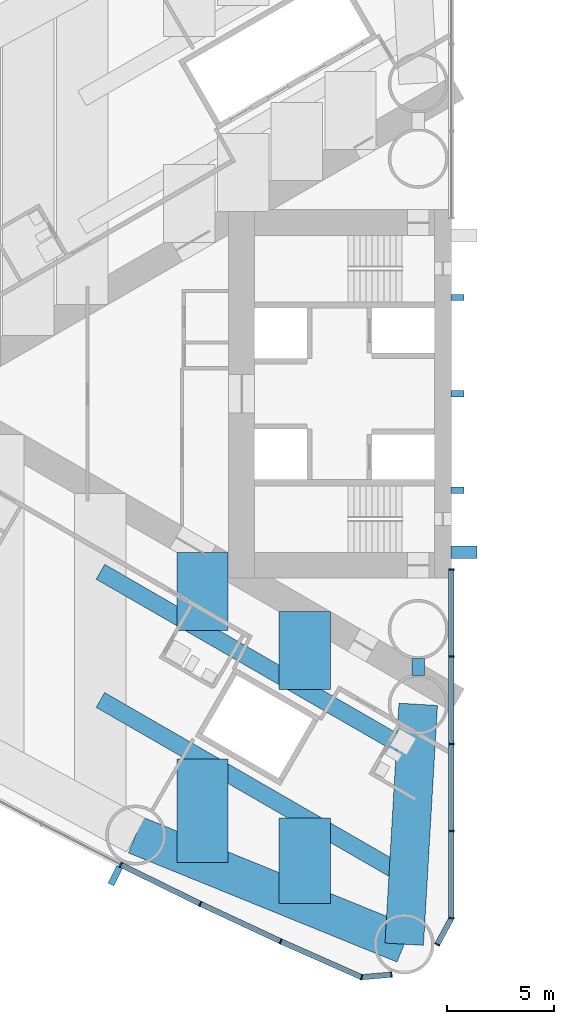
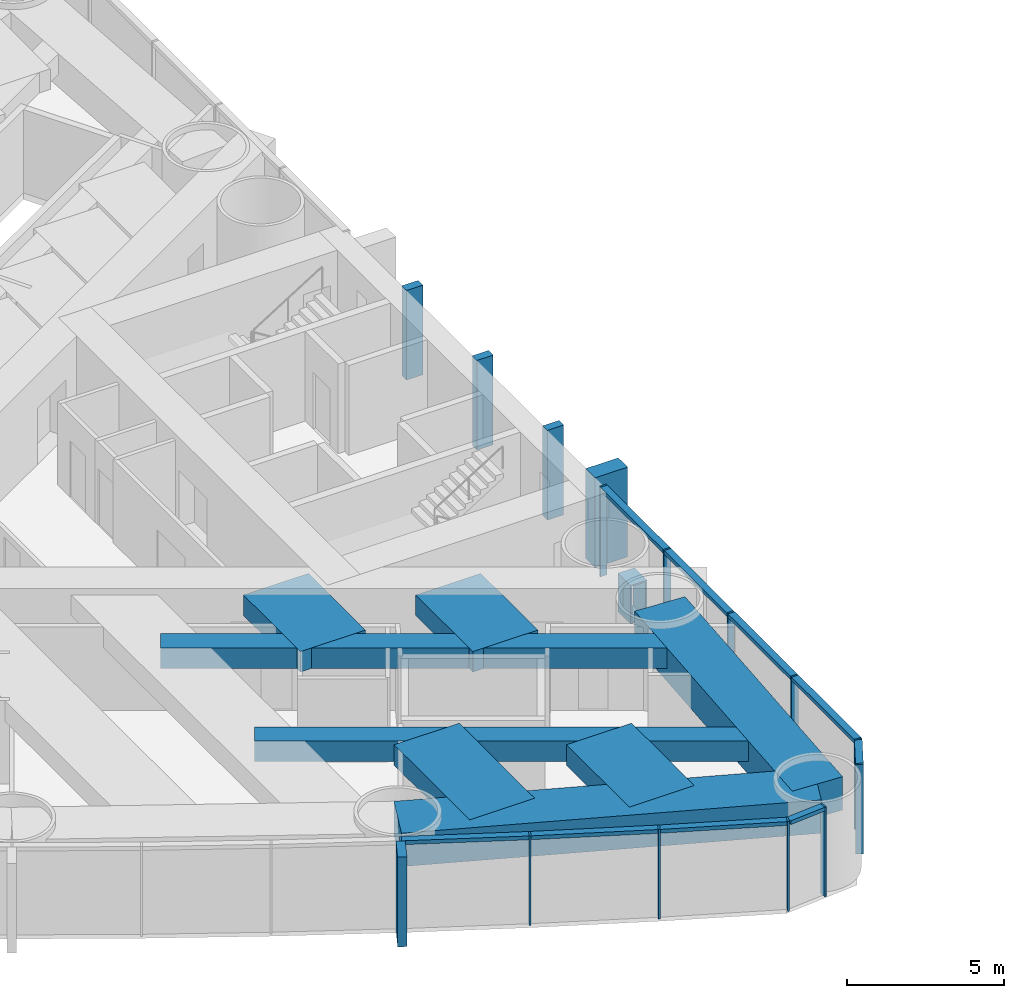
# One storey, part 3 of 18: 25 members, 9 beams, 2 elements without a shape of their own.
"""IFC4 building model written with IfcOpenShell, lengths in metres."""

from ifc_helpers import new_model, si_unit, direction, frame, origin, origin_2d, place, context, subcontext, project, spatial, rectangle, hollow_rectangle, extrude, material, material_profile, profile_set, type_object, element, aggregate, save


model = new_model("IFC4")

# Units and contexts
model_context = context("Model", 3, precision=1e-05, world=origin(), true_north=direction((0.0, 1.0)))
body_context = subcontext(model_context, "Body", "Model", "MODEL_VIEW")
ifc_project = project(units=[si_unit("LENGTHUNIT", "METRE"), si_unit("AREAUNIT", "SQUARE_METRE"), si_unit("VOLUMEUNIT", "CUBIC_METRE"), si_unit("PLANEANGLEUNIT", "RADIAN"), si_unit("MASSUNIT", "GRAM", prefix="KILO")], contexts=[model_context])

# Site, building, storey
site_placement = place(None, origin())
site = spatial("IfcSite", under=ifc_project, at=site_placement, CompositionType="ELEMENT")
building_placement = place(site_placement, origin())
building = spatial("IfcBuilding", under=site, at=building_placement, Name="Lancet Gate Hotel", CompositionType="ELEMENT")
storey_placement = place(building_placement, frame((0.0, 0.0, 56.5)))
storey = spatial("IfcBuildingStorey", under=building, at=storey_placement, Name="L14", CompositionType="ELEMENT", Elevation=56.5)

# Curtain wall, members
ifc_material_1 = material(Name="Aluminium curtain wall", Category="aluminium")
curtain_wall_type = type_object("IfcCurtainWallType", Name="Tower unitised curtain wall", PredefinedType="USERDEFINED", material=ifc_material_1)
curtain_wall_1_placement = place(storey_placement, origin())
curtain_wall_1 = element("IfcCurtainWall", 1, at=curtain_wall_1_placement, inside=storey, type_object=curtain_wall_type, Name="T1 L14 curtain wall 3", ObjectType="UNITISED CURTAIN WALL", PredefinedType="USERDEFINED")
ifc_material_2 = material(Name="Aluminium mullion", Category="aluminium")
ifc_material_profile_1 = material_profile(ifc_material_2, rectangle(XDim=0.06494140625, YDim=0.25, at=origin_2d()), Name="MULLION 65x250")
ifc_profile_set_1 = profile_set([ifc_material_profile_1], Name="Aluminium mullion")
member_type_1 = type_object("IfcMemberType", Name="Aluminium mullion 65x250", PredefinedType="MULLION", material=ifc_profile_set_1)
member_1_placement = place(storey_placement, frame((-42.94189453125, -21.991943359375, 0.0), z_axis=(0.0, 0.0, 1.0), x_axis=(0.893291549794, -0.449477704748, 0.0)))
member_1 = element("IfcMember", 2, at=member_1_placement, type_object=member_type_1, Name="T1 L14 curtain wall 3 mullion 11", PredefinedType="MULLION", context=body_context, shape_type="SweptSolid", body=[
    extrude(rectangle(XDim=0.06494140625, YDim=0.25, at=origin_2d()), origin(), (0.0, 0.0, 1.0), 3.5),
])
member_2_placement = place(storey_placement, frame((-39.225341796875, -23.816650390625, 0.0), z_axis=(0.0, 0.0, 1.0), x_axis=(0.901928838337, -0.431884672772, 0.0)))
member_2 = element("IfcMember", 3, at=member_2_placement, type_object=member_type_1, Name="T1 L14 curtain wall 3 mullion 12", PredefinedType="MULLION", context=body_context, shape_type="SweptSolid", body=[
    extrude(rectangle(XDim=0.06494140625, YDim=0.25, at=origin_2d()), origin(), (0.0, 0.0, 1.0), 3.5),
])
member_3_placement = place(storey_placement, frame((-35.473876953125, -25.568115234375, 0.0), z_axis=(0.0, 0.0, 1.0), x_axis=(0.910219680212, -0.414125746308, 0.0)))
member_3 = element("IfcMember", 4, at=member_3_placement, type_object=member_type_1, Name="T1 L14 curtain wall 3 mullion 13", PredefinedType="MULLION", context=body_context, shape_type="SweptSolid", body=[
    extrude(rectangle(XDim=0.06494140625, YDim=0.25, at=origin_2d()), origin(), (0.0, 0.0, 1.0), 3.5),
])
member_4_placement = place(storey_placement, frame((-31.688720703125, -27.24560546875, 0.0), z_axis=(0.0, 0.0, 1.0), x_axis=(0.957524354695, -0.288352406209, 0.0)))
member_4 = element("IfcMember", 5, at=member_4_placement, type_object=member_type_1, Name="T1 L14 curtain wall 3 mullion 14", PredefinedType="MULLION", context=body_context, shape_type="SweptSolid", body=[
    extrude(rectangle(XDim=0.06494140625, YDim=0.25, at=origin_2d()), origin(), (0.0, 0.0, 1.0), 3.5),
])
member_5_placement = place(storey_placement, frame((-30.3046875, -27.124755859375, 0.0), z_axis=(0.0, 0.0, 1.0), x_axis=(0.99620380374, 0.087051602022, 0.0)))
member_5 = element("IfcMember", 6, at=member_5_placement, type_object=member_type_1, Name="T1 L14 curtain wall 3 mullion 15", PredefinedType="MULLION", context=body_context, shape_type="SweptSolid", body=[
    extrude(rectangle(XDim=0.06494140625, YDim=0.25, at=origin_2d()), origin(), (0.0, 0.0, 1.0), 3.5),
])

curtain_wall_2_placement = place(storey_placement, origin())
curtain_wall_2 = element("IfcCurtainWall", 7, at=curtain_wall_2_placement, inside=storey, type_object=curtain_wall_type, Name="T1 L14 curtain wall 4", ObjectType="UNITISED CURTAIN WALL", PredefinedType="USERDEFINED")
member_6_placement = place(storey_placement, frame((-28.158935546875, -25.712890625, 0.0), z_axis=(0.0, 0.0, 1.0), x_axis=(0.474631040972, 0.880184852714, 0.0)))
member_6 = element("IfcMember", 8, at=member_6_placement, type_object=member_type_1, Name="T1 L14 curtain wall 4 mullion 1", PredefinedType="MULLION", context=body_context, shape_type="SweptSolid", body=[
    extrude(rectangle(XDim=0.06494140625, YDim=0.25, at=origin_2d()), origin(), (0.0, 0.0, 1.0), 3.5),
])
member_7_placement = place(storey_placement, frame((-27.5, -24.4912109375, 0.0), z_axis=(0.0, 0.0, 1.0), x_axis=(0.123482502544, 0.992346749662, 0.0)))
member_7 = element("IfcMember", 9, at=member_7_placement, type_object=member_type_1, Name="T1 L14 curtain wall 4 mullion 2", PredefinedType="MULLION", context=body_context, shape_type="SweptSolid", body=[
    extrude(rectangle(XDim=0.06494140625, YDim=0.25, at=origin_2d()), origin(), (0.0, 0.0, 1.0), 3.5),
])
member_8_placement = place(storey_placement, frame((-27.5, -20.41845703125, 0.0), z_axis=(0.0, 0.0, 1.0), x_axis=(0.0, 1.0, 0.0)))
member_8 = element("IfcMember", 10, at=member_8_placement, type_object=member_type_1, Name="T1 L14 curtain wall 4 mullion 3", PredefinedType="MULLION", context=body_context, shape_type="SweptSolid", body=[
    extrude(rectangle(XDim=0.06494140625, YDim=0.25, at=origin_2d()), origin(), (0.0, 0.0, 1.0), 3.5),
])
member_9_placement = place(storey_placement, frame((-27.5, -16.345703125, 0.0), z_axis=(0.0, 0.0, 1.0), x_axis=(0.0, 1.0, 0.0)))
member_9 = element("IfcMember", 11, at=member_9_placement, type_object=member_type_1, Name="T1 L14 curtain wall 4 mullion 4", PredefinedType="MULLION", context=body_context, shape_type="SweptSolid", body=[
    extrude(rectangle(XDim=0.06494140625, YDim=0.25, at=origin_2d()), origin(), (0.0, 0.0, 1.0), 3.5),
])
member_10_placement = place(storey_placement, frame((-27.5, -12.272705078125, 0.0), z_axis=(0.0, 0.0, 1.0), x_axis=(0.0, 1.0, 0.0)))
member_10 = element("IfcMember", 12, at=member_10_placement, type_object=member_type_1, Name="T1 L14 curtain wall 4 mullion 5", PredefinedType="MULLION", context=body_context, shape_type="SweptSolid", body=[
    extrude(rectangle(XDim=0.06494140625, YDim=0.25, at=origin_2d()), origin(), (0.0, 0.0, 1.0), 3.5),
])
member_11_placement = place(storey_placement, frame((-27.5, -8.199951171875, 0.0), z_axis=(0.0, 0.0, 1.0), x_axis=(0.0, 1.0, 0.0)))
member_11 = element("IfcMember", 13, at=member_11_placement, type_object=member_type_1, Name="T1 L14 curtain wall 4 mullion 6", PredefinedType="MULLION", context=body_context, shape_type="SweptSolid", body=[
    extrude(rectangle(XDim=0.06494140625, YDim=0.25, at=origin_2d()), origin(), (0.0, 0.0, 1.0), 3.5),
])

# Member
ifc_material_3 = material(Name="Aluminium transom", Category="aluminium")
ifc_material_profile_2 = material_profile(ifc_material_3, rectangle(XDim=0.25, YDim=0.14990234375, at=origin_2d()), Name="TRANSOM 250x150")
ifc_profile_set_2 = profile_set([ifc_material_profile_2], Name="Aluminium transom")
member_type_2 = type_object("IfcMemberType", Name="Aluminium transom 250x150", PredefinedType="USERDEFINED", material=ifc_profile_set_2)
member_12_placement = place(storey_placement, frame((-42.912841796875, -22.00634765625, 3.425048828125), z_axis=(0.897662439958, -0.440683723194, 0.0), x_axis=(0.440683723194, 0.897662439958, 0.0)))
member_12 = element("IfcMember", 14, at=member_12_placement, type_object=member_type_2, Name="T1 L14 curtain wall 3 transom 11", ObjectType="TRANSOM", PredefinedType="USERDEFINED", context=body_context, shape_type="SweptSolid", body=[
    extrude(rectangle(XDim=0.25, YDim=0.14990234375, at=origin_2d()), origin(), (0.0, 0.0, 1.0), 4.0751953125),
])

member_13_placement = place(storey_placement, frame((-39.196044921875, -23.830322265625, 3.425048828125), z_axis=(0.906109667261, -0.423042871228, 0.0), x_axis=(0.423042871228, 0.906109667261, 0.0)))
member_13 = element("IfcMember", 15, at=member_13_placement, type_object=member_type_2, Name="T1 L14 curtain wall 3 transom 12", ObjectType="TRANSOM", PredefinedType="USERDEFINED", context=body_context, shape_type="SweptSolid", body=[
    extrude(rectangle(XDim=0.25, YDim=0.14990234375, at=origin_2d()), origin(), (0.0, 0.0, 1.0), 4.075439453125),
])

member_14_placement = place(storey_placement, frame((-35.444091796875, -25.581298828125, 3.425048828125), z_axis=(0.914248281954, -0.405154389022, 0.0), x_axis=(0.405154389022, 0.914248281954, 0.0)))
member_14 = element("IfcMember", 16, at=member_14_placement, type_object=member_type_2, Name="T1 L14 curtain wall 3 transom 13", ObjectType="TRANSOM", PredefinedType="USERDEFINED", context=body_context, shape_type="SweptSolid", body=[
    extrude(rectangle(XDim=0.25, YDim=0.14990234375, at=origin_2d()), origin(), (0.0, 0.0, 1.0), 4.0751953125),
])

member_15_placement = place(storey_placement, frame((-31.65625, -27.242919921875, 3.425048828125), z_axis=(0.99620591587, 0.087027427779, 0.0), x_axis=(-0.087027427779, 0.99620591587, 0.0)))
member_15 = element("IfcMember", 17, at=member_15_placement, type_object=member_type_2, Name="T1 L14 curtain wall 3 transom 14", ObjectType="TRANSOM", PredefinedType="USERDEFINED", context=body_context, shape_type="SweptSolid", body=[
    extrude(rectangle(XDim=0.25, YDim=0.14990234375, at=origin_2d()), origin(), (0.0, 0.0, 1.0), 1.32421875),
])

member_16_placement = place(storey_placement, frame((-28.143310546875, -25.684326171875, 3.425048828125), z_axis=(0.474605926905, 0.880198394765, 0.0), x_axis=(-0.880198394765, 0.474605926905, 0.0)))
member_16 = element("IfcMember", 18, at=member_16_placement, type_object=member_type_2, Name="T1 L14 curtain wall 4 transom 1", ObjectType="TRANSOM", PredefinedType="USERDEFINED", context=body_context, shape_type="SweptSolid", body=[
    extrude(rectangle(XDim=0.25, YDim=0.14990234375, at=origin_2d()), origin(), (0.0, 0.0, 1.0), 1.322998046875),
])

member_17_placement = place(storey_placement, frame((-27.5, -24.458740234375, 3.425048828125), z_axis=(0.0, 1.0, 0.0), x_axis=(-1.0, 0.0, 0.0)))
member_17 = element("IfcMember", 19, at=member_17_placement, type_object=member_type_2, Name="T1 L14 curtain wall 4 transom 2", ObjectType="TRANSOM", PredefinedType="USERDEFINED", context=body_context, shape_type="SweptSolid", body=[
    extrude(rectangle(XDim=0.25, YDim=0.14990234375, at=origin_2d()), origin(), (0.0, 0.0, 1.0), 4.0078125),
])

member_18_placement = place(storey_placement, frame((-27.5, -20.385986328125, 3.425048828125), z_axis=(0.0, 1.0, 0.0), x_axis=(-1.0, 0.0, 0.0)))
member_18 = element("IfcMember", 20, at=member_18_placement, type_object=member_type_2, Name="T1 L14 curtain wall 4 transom 3", ObjectType="TRANSOM", PredefinedType="USERDEFINED", context=body_context, shape_type="SweptSolid", body=[
    extrude(rectangle(XDim=0.25, YDim=0.14990234375, at=origin_2d()), origin(), (0.0, 0.0, 1.0), 4.0078125),
])

member_19_placement = place(storey_placement, frame((-27.5, -16.31298828125, 3.425048828125), z_axis=(0.0, 1.0, 0.0), x_axis=(-1.0, 0.0, 0.0)))
member_19 = element("IfcMember", 21, at=member_19_placement, type_object=member_type_2, Name="T1 L14 curtain wall 4 transom 4", ObjectType="TRANSOM", PredefinedType="USERDEFINED", context=body_context, shape_type="SweptSolid", body=[
    extrude(rectangle(XDim=0.25, YDim=0.14990234375, at=origin_2d()), origin(), (0.0, 0.0, 1.0), 4.0078125),
])

member_20_placement = place(storey_placement, frame((-27.5, -12.240234375, 3.425048828125), z_axis=(0.0, 1.0, 0.0), x_axis=(-1.0, 0.0, 0.0)))
member_20 = element("IfcMember", 22, at=member_20_placement, type_object=member_type_2, Name="T1 L14 curtain wall 4 transom 5", ObjectType="TRANSOM", PredefinedType="USERDEFINED", context=body_context, shape_type="SweptSolid", body=[
    extrude(rectangle(XDim=0.25, YDim=0.14990234375, at=origin_2d()), origin(), (0.0, 0.0, 1.0), 4.0078125),
])

aggregate(curtain_wall_2, [member_6, member_7, member_8, member_9, member_10, member_11, member_16, member_17, member_18, member_19, member_20])

# Beams
ifc_material_4 = material(Name="Concrete C50/60", Category="concrete")
ifc_material_profile_3 = material_profile(ifc_material_4, rectangle(XDim=1.800048828125, YDim=1.300048828125, at=origin_2d()), Name="RC 1800x1300")
ifc_profile_set_3 = profile_set([ifc_material_profile_3], Name="Concrete C50/60")
beam_type_1 = type_object("IfcBeamType", Name="Edge beam RC 1800x1300", PredefinedType="SPANDREL", material=ifc_profile_set_3)
beam_1_placement = place(storey_placement, frame((-42.2451171875, -20.607421875, 2.60009765625), z_axis=(0.926463236197, -0.376385270667, 0.0), x_axis=(0.376385270667, 0.926463236197, 0.0)))
element("IfcBeam", 23, at=beam_1_placement, inside=storey, type_object=beam_type_1, Name="T1 edge beam EB1 L14", PredefinedType="SPANDREL", context=body_context, shape_type="SweptSolid", body=[
    extrude(rectangle(XDim=1.800048828125, YDim=1.300048828125, at=origin_2d()), origin(), (0.0, 0.0, 1.0), 13.537353515625),
])
beam_2_placement = place(storey_placement, frame((-29.050048828125, -14.5, 2.60009765625), z_axis=(-0.058219521912, -0.998303805096, 0.0), x_axis=(0.998303805096, -0.058219521912, 0.0)))
element("IfcBeam", 24, at=beam_2_placement, inside=storey, type_object=beam_type_1, Name="T1 edge beam EB1 L14", PredefinedType="SPANDREL", context=body_context, shape_type="SweptSolid", body=[
    extrude(rectangle(XDim=1.800048828125, YDim=1.300048828125, at=origin_2d()), origin(), (0.0, 0.0, 1.0), 11.2216796875),
])

# Member
ifc_material_5 = material(Name="Concrete C60/75", Category="concrete")
ifc_material_profile_4 = material_profile(ifc_material_5, rectangle(XDim=0.60009765625, YDim=1.199951171875, at=origin_2d()), Name="FIN 600x1200")
ifc_profile_set_4 = profile_set([ifc_material_profile_4], Name="Concrete C60/75")
member_type_3 = type_object("IfcMemberType", Name="Exposed concrete buttress pilaster 600x1200", PredefinedType="USERDEFINED", material=ifc_profile_set_4)
member_21_placement = place(storey_placement, frame((-26.909912109375, -7.39990234375, 0.0), z_axis=(0.0, 0.0, 1.0), x_axis=(0.0, 1.0, 0.0)))
element("IfcMember", 25, at=member_21_placement, inside=storey, type_object=member_type_3, Name="T1 buttress pilaster N L14", ObjectType="FIN", PredefinedType="USERDEFINED", context=body_context, shape_type="SweptSolid", body=[
    extrude(rectangle(XDim=0.60009765625, YDim=1.199951171875, at=origin_2d()), origin(), (0.0, 0.0, 1.0), 3.5),
])

ifc_material_6 = material(Name="Precast concrete C50/60", Category="concrete")
ifc_material_profile_5 = material_profile(ifc_material_6, rectangle(XDim=0.300048828125, YDim=0.89990234375, at=origin_2d()), Name="FIN 300x900")
ifc_profile_set_5 = profile_set([ifc_material_profile_5], Name="Precast concrete C50/60")
member_type_4 = type_object("IfcMemberType", Name="Exposed concrete fin 300x900", PredefinedType="USERDEFINED", material=ifc_profile_set_5)
member_22_placement = place(storey_placement, frame((-43.200439453125, -22.505615234375, 0.0), z_axis=(0.0, 0.0, 1.0), x_axis=(0.893291549794, -0.449477704748, 0.0)))
member_22 = element("IfcMember", 26, at=member_22_placement, type_object=member_type_4, Name="T1 L14 curtain wall 3 fin 11", ObjectType="FIN", PredefinedType="USERDEFINED", context=body_context, shape_type="SweptSolid", body=[
    extrude(rectangle(XDim=0.300048828125, YDim=0.89990234375, at=origin_2d()), origin(), (0.0, 0.0, 1.0), 3.5),
])

aggregate(curtain_wall_1, [member_1, member_22, member_2, member_3, member_4, member_5, member_12, member_13, member_14, member_15])

# Members
ifc_material_7 = material(Name="Concrete C60/75", Category="concrete")
ifc_material_profile_6 = material_profile(ifc_material_7, rectangle(XDim=0.300048828125, YDim=0.60009765625, at=origin_2d()), Name="FIN 300x600")
ifc_profile_set_6 = profile_set([ifc_material_profile_6], Name="Concrete C60/75")
member_type_5 = type_object("IfcMemberType", Name="Exposed concrete rib 300x600", PredefinedType="USERDEFINED", material=ifc_profile_set_6)
for number, where, z_axis, x_axis, name in (
    (27, (-27.2099609375, 4.5, 0.0), (0.0, 0.0, 1.0), (0.0, 1.0, 0.0), "T1 core rib 1 L14"),
    (28, (-27.2099609375, 0.0, 0.0), (0.0, 0.0, 1.0), (0.0, 1.0, 0.0), "T1 core rib 2 L14"),
    (29, (-27.2099609375, -4.5, 0.0), (0.0, 0.0, 1.0), (0.0, 1.0, 0.0), "T1 core rib 3 L14"),
):
    element("IfcMember", number, at=place(storey_placement, frame(where, z_axis=z_axis, x_axis=x_axis)), inside=storey, type_object=member_type_5, Name=name, ObjectType="FIN", PredefinedType="USERDEFINED", context=body_context, shape_type="SweptSolid", body=[
        extrude(rectangle(XDim=0.300048828125, YDim=0.60009765625, at=origin_2d()), origin(), (0.0, 0.0, 1.0), 3.5),
    ])

# Beams
ifc_material_8 = material(Name="Concrete C50/60", Category="concrete")
ifc_material_profile_7 = material_profile(ifc_material_8, rectangle(XDim=2.39990234375, YDim=0.800048828125, at=origin_2d()), Name="RC 2400x800")
ifc_profile_set_7 = profile_set([ifc_material_profile_7], Name="Concrete C50/60")
beam_type_2 = type_object("IfcBeamType", Name="Floor beam RC 2400x800", PredefinedType="BEAM", material=ifc_profile_set_7)
beam_3_placement = place(storey_placement, frame((-34.353515625, -10.169921875, 2.85009765625), z_axis=(0.0, -1.0, 0.0), x_axis=(1.0, 0.0, 0.0)))
element("IfcBeam", 30, at=beam_3_placement, inside=storey, type_object=beam_type_2, Name="T1 floor beam F03NA L14", PredefinedType="BEAM", context=body_context, shape_type="SweptSolid", body=[
    extrude(rectangle(XDim=2.39990234375, YDim=0.800048828125, at=origin_2d()), origin(), (0.0, 0.0, 1.0), 3.645751953125),
])
beam_4_placement = place(storey_placement, frame((-34.353515625, -19.802978515625, 2.85009765625), z_axis=(0.0, -1.0, 0.0), x_axis=(1.0, 0.0, 0.0)))
element("IfcBeam", 31, at=beam_4_placement, inside=storey, type_object=beam_type_2, Name="T1 floor beam F03NB L14", PredefinedType="BEAM", context=body_context, shape_type="SweptSolid", body=[
    extrude(rectangle(XDim=2.39990234375, YDim=0.800048828125, at=origin_2d()), origin(), (0.0, 0.0, 1.0), 4.010498046875),
])
beam_5_placement = place(storey_placement, frame((-39.122314453125, -7.41650390625, 2.85009765625), z_axis=(0.0, -1.0, 0.0), x_axis=(1.0, 0.0, 0.0)))
element("IfcBeam", 32, at=beam_5_placement, inside=storey, type_object=beam_type_2, Name="T1 floor beam F06NA L14", PredefinedType="BEAM", context=body_context, shape_type="SweptSolid", body=[
    extrude(rectangle(XDim=2.39990234375, YDim=0.800048828125, at=origin_2d()), origin(), (0.0, 0.0, 1.0), 3.64599609375),
])
beam_6_placement = place(storey_placement, frame((-39.122314453125, -17.0498046875, 2.85009765625), z_axis=(0.0, -1.0, 0.0), x_axis=(1.0, 0.0, 0.0)))
element("IfcBeam", 33, at=beam_6_placement, inside=storey, type_object=beam_type_2, Name="T1 floor beam F06NB L14", PredefinedType="BEAM", context=body_context, shape_type="SweptSolid", body=[
    extrude(rectangle(XDim=2.39990234375, YDim=0.800048828125, at=origin_2d()), origin(), (0.0, 0.0, 1.0), 4.826416015625),
])
ifc_material_9 = material(Name="Steel S460QL", Category="steel")
ifc_material_profile_8 = material_profile(ifc_material_9, hollow_rectangle(XDim=0.60009765625, YDim=1.5, WallThickness=0.050048828125, at=origin_2d()), Name="BOX 1500x600x50")
ifc_profile_set_8 = profile_set([ifc_material_profile_8], Name="Steel S460QL")
beam_type_3 = type_object("IfcBeamType", Name="Inner-face link beam BOX 1500x600x50", PredefinedType="BEAM", material=ifc_profile_set_8)
beam_7_placement = place(storey_placement, frame((-29.050048828125, -12.35009765625, 2.5), z_axis=(0.0, -1.0, 0.0), x_axis=(1.0, 0.0, 0.0)))
element("IfcBeam", 34, at=beam_7_placement, inside=storey, type_object=beam_type_3, Name="T1 inner-face link beam LK1 L14", PredefinedType="BEAM", context=body_context, shape_type="SweptSolid", body=[
    extrude(hollow_rectangle(XDim=0.60009765625, YDim=1.5, WallThickness=0.050048828125, at=origin_2d()), origin(), (0.0, 0.0, 1.0), 0.7998046875),
])
ifc_material_10 = material(Name="Steel S460QL", Category="steel")
ifc_material_profile_9 = material_profile(ifc_material_10, hollow_rectangle(XDim=0.800048828125, YDim=0.800048828125, WallThickness=0.080078125, at=origin_2d()), Name="BOX 800x800x80")
ifc_profile_set_9 = profile_set([ifc_material_profile_9], Name="Steel S460QL")
beam_type_4 = type_object("IfcBeamType", Name="Trimmer beam BOX 800x800x80", PredefinedType="BEAM", material=ifc_profile_set_9)
for number, where, z_axis, x_axis, name in (
    (35, (-29.58447265625, -22.55615234375, 2.85009765625), (-0.866040141834, 0.49997447208, 0.0), (-0.49997447208, -0.866040141834, 0.0), "T1 trimmer beam TR03N L14"),
    (36, (-29.58447265625, -16.56884765625, 2.85009765625), (-0.866040141834, 0.49997447208, 0.0), (-0.49997447208, -0.866040141834, 0.0), "T1 trimmer beam TR04N L14"),
):
    element("IfcBeam", number, at=place(storey_placement, frame(where, z_axis=z_axis, x_axis=x_axis)), inside=storey, type_object=beam_type_4, Name=name, PredefinedType="BEAM", context=body_context, shape_type="SweptSolid", body=[
        extrude(hollow_rectangle(XDim=0.800048828125, YDim=0.800048828125, WallThickness=0.080078125, at=origin_2d()), origin(), (0.0, 0.0, 1.0), 16.519775390625),
    ])

save(model, "model.ifc")
